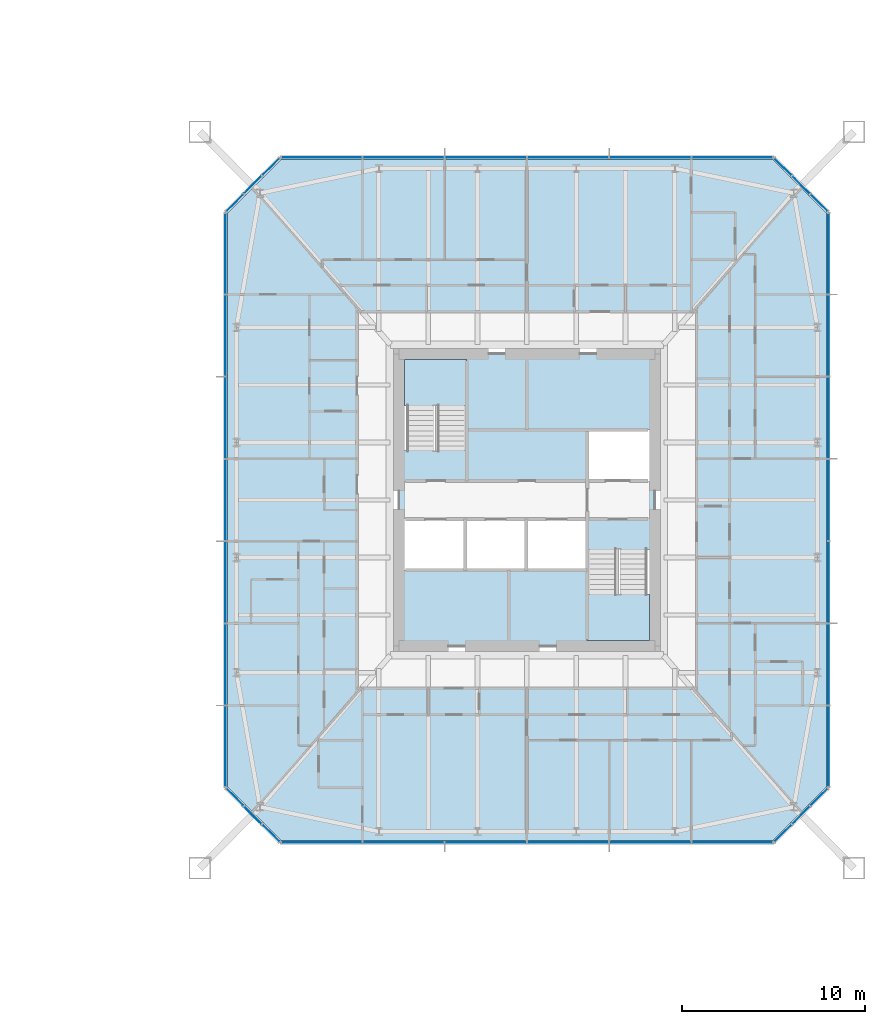
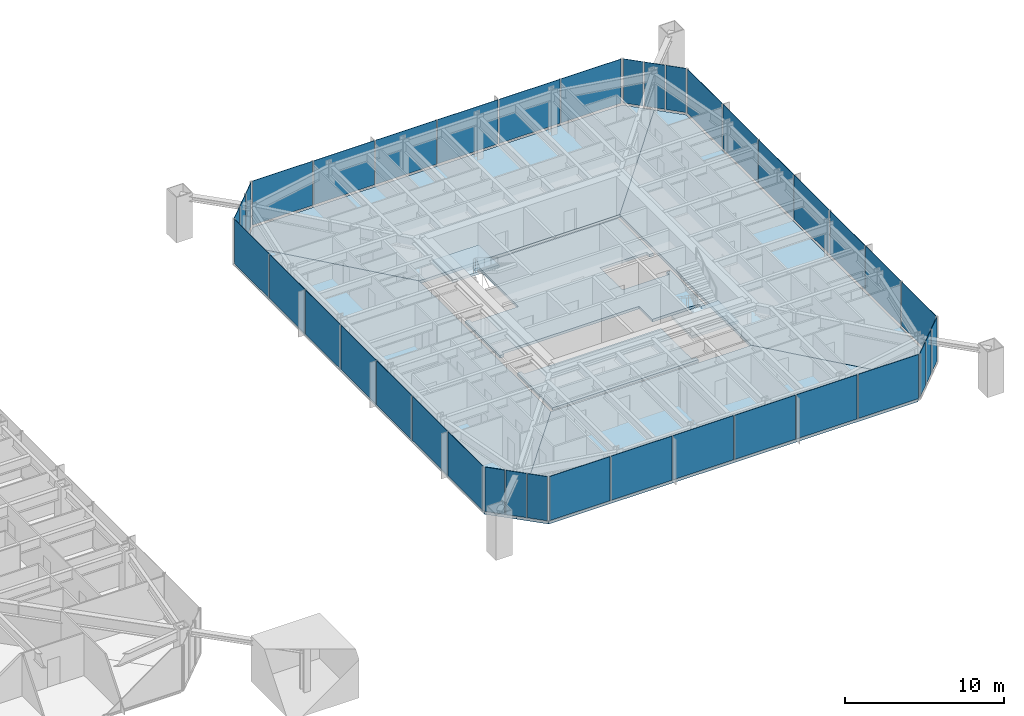
# One storey, part 13 of 26: 38 plates, 8 slabs, 10 elements without a shape of their own.
"""IFC4 building model written with IfcOpenShell, lengths in metres."""

from ifc_helpers import new_model, si_unit, direction, frame, origin, origin_2d, place, context, subcontext, project, spatial, polyline, rectangle, outline, extrude, material, layer, layer_set, constituent, constituent_set, type_object, element, aggregate, save


model = new_model("IFC4")

# Units and contexts
model_context = context("Model", 3, precision=1e-05, world=origin(), true_north=direction((0.0, 1.0)))
body_context = subcontext(model_context, "Body", "Model", "MODEL_VIEW")
ifc_project = project(units=[si_unit("LENGTHUNIT", "METRE"), si_unit("AREAUNIT", "SQUARE_METRE"), si_unit("VOLUMEUNIT", "CUBIC_METRE"), si_unit("PLANEANGLEUNIT", "RADIAN"), si_unit("MASSUNIT", "GRAM", prefix="KILO")], contexts=[model_context])

# Site, building, storey
site_placement = place(None, origin())
site = spatial("IfcSite", under=ifc_project, at=site_placement, CompositionType="ELEMENT")
building_placement = place(site_placement, origin())
building = spatial("IfcBuilding", under=site, at=building_placement, Name="Iwan Alto Co-Living Towers", CompositionType="ELEMENT")
storey_placement = place(building_placement, frame((0.0, 0.0, 50.0)))
storey = spatial("IfcBuildingStorey", under=building, at=storey_placement, Name="L13", CompositionType="ELEMENT", Elevation=50.0)

# Slabs
ifc_material_1 = material(Name="Concrete f'c 30 MPa", Category="concrete")
ifc_layer_1 = layer(ifc_material_1, 0.199951171875)
ifc_layer_set_1 = layer_set([ifc_layer_1], Name="CORE FLOOR SLAB 200")
slab_type_1 = type_object("IfcSlabType", Name="CORE FLOOR SLAB 200", PredefinedType="FLOOR", material=ifc_layer_set_1)
slab_1_placement = place(storey_placement, frame((0.0, 0.0, -0.199951171875)))
element("IfcSlab", 1, at=slab_1_placement, inside=storey, type_object=slab_type_1, Name="T2 core floor L13", PredefinedType="FLOOR", context=body_context, shape_type="SweptSolid", body=[
    extrude(outline(polyline([(70.0, -3.030029296875), (69.699951171875, -3.030029296875), (69.699951171875, -2.719970703125), (66.300048828125, -2.719970703125), (66.300048828125, -1.050048828125), (62.967041015625, -1.050048828125), (59.633056640625, -1.050048828125), (56.300048828125, -1.050048828125), (56.300048828125, -1.360107421875), (56.0, -1.360107421875), (56.0, 3.030029296875), (56.300048828125, 3.030029296875), (56.300048828125, 2.719970703125), (59.699951171875, 2.719970703125), (59.699951171875, 7.699951171875), (59.389892578125, 7.699951171875), (59.389892578125, 8.0), (70.0, 8.0), (70.0, 3.5400390625), (69.699951171875, 3.5400390625), (69.699951171875, 3.85009765625), (66.300048828125, 3.85009765625), (66.300048828125, 1.050048828125), (69.699951171875, 1.050048828125), (69.699951171875, 1.360107421875), (70.0, 1.360107421875), (70.0, -3.030029296875)])), origin(), (0.0, 0.0, 1.0), 0.199951171875),
])
slab_2_placement = place(storey_placement, frame((0.0, 0.0, -0.199951171875)))
element("IfcSlab", 2, at=slab_2_placement, inside=storey, type_object=slab_type_1, Name="T2 core floor L13", PredefinedType="FLOOR", context=body_context, shape_type="SweptSolid", body=[
    extrude(outline(polyline([(62.967041015625, -3.85009765625), (66.300048828125, -3.85009765625), (66.300048828125, -7.699951171875), (66.610107421875, -7.699951171875), (66.610107421875, -8.0), (56.0, -8.0), (56.0, -3.5400390625), (56.300048828125, -3.5400390625), (56.300048828125, -3.85009765625), (59.633056640625, -3.85009765625), (62.967041015625, -3.85009765625)])), origin(), (0.0, 0.0, 1.0), 0.199951171875),
])

# Curtain wall, plates
ifc_material_2 = material(Name="Bronze aluminium unitised frame", Category="aluminium")
curtain_wall_type_1 = type_object("IfcCurtainWallType", Name="CURTAIN WALL CW-C", PredefinedType="NOTDEFINED", material=ifc_material_2)
curtain_wall_1_placement = place(storey_placement, origin())
curtain_wall_1 = element("IfcCurtainWall", 3, at=curtain_wall_1_placement, inside=storey, type_object=curtain_wall_type_1, Name="T2 curtain wall S L13", PredefinedType="NOTDEFINED")
ifc_material_3 = material(Name="Bronze-tinted insulating glass", Category="glass")
ifc_layer_2 = layer(ifc_material_3, 0.031982421875)
ifc_layer_set_2 = layer_set([ifc_layer_2], Name="CW-C PANEL TINTED IGU 32")
plate_type_1 = type_object("IfcPlateType", Name="CW-C PANEL TINTED IGU 32", PredefinedType="CURTAIN_PANEL", material=ifc_layer_set_2)
plate_1_placement = place(storey_placement, frame((51.77001953125, -18.75, 0.10009765625), z_axis=(0.0, 0.0, 1.0), x_axis=(1.0, 0.0, 0.0)))
plate_1 = element("IfcPlate", 4, at=plate_1_placement, type_object=plate_type_1, Name="CW-C panel 1.1", PredefinedType="CURTAIN_PANEL", context=body_context, shape_type="SweptSolid", body=[
    extrude(rectangle(XDim=4.3798828125, YDim=0.031982421875, at=origin_2d()), origin(), (0.0, 0.0, 1.0), 3.39990234375),
])
plate_2_placement = place(storey_placement, frame((74.22998046875, -18.75, 0.10009765625), z_axis=(0.0, 0.0, 1.0), x_axis=(1.0, 0.0, 0.0)))
plate_2 = element("IfcPlate", 5, at=plate_2_placement, type_object=plate_type_1, Name="CW-C panel 6.1", PredefinedType="CURTAIN_PANEL", context=body_context, shape_type="SweptSolid", body=[
    extrude(rectangle(XDim=4.3798828125, YDim=0.031982421875, at=origin_2d()), origin(), (0.0, 0.0, 1.0), 3.39990234375),
])

curtain_wall_2_placement = place(storey_placement, origin())
curtain_wall_2 = element("IfcCurtainWall", 6, at=curtain_wall_2_placement, inside=storey, type_object=curtain_wall_type_1, Name="T2 curtain wall E L13", PredefinedType="NOTDEFINED")
plate_3_placement = place(storey_placement, frame((79.5, -13.47998046875, 0.10009765625), z_axis=(0.0, 0.0, 1.0), x_axis=(0.0, 1.0, 0.0)))
plate_3 = element("IfcPlate", 7, at=plate_3_placement, type_object=plate_type_1, Name="CW-C panel 1.1", PredefinedType="CURTAIN_PANEL", context=body_context, shape_type="SweptSolid", body=[
    extrude(rectangle(XDim=4.3798828125, YDim=0.031982421875, at=origin_2d()), origin(), (0.0, 0.0, 1.0), 3.39990234375),
])
plate_4_placement = place(storey_placement, frame((79.5, -9.0, 0.10009765625), z_axis=(0.0, 0.0, 1.0), x_axis=(0.0, 1.0, 0.0)))
plate_4 = element("IfcPlate", 8, at=plate_4_placement, type_object=plate_type_1, Name="CW-C panel 2.1", PredefinedType="CURTAIN_PANEL", context=body_context, shape_type="SweptSolid", body=[
    extrude(rectangle(XDim=4.419921875, YDim=0.031982421875, at=origin_2d()), origin(), (0.0, 0.0, 1.0), 3.39990234375),
])
plate_5_placement = place(storey_placement, frame((79.5, 9.0, 0.10009765625), z_axis=(0.0, 0.0, 1.0), x_axis=(0.0, 1.0, 0.0)))
plate_5 = element("IfcPlate", 9, at=plate_5_placement, type_object=plate_type_1, Name="CW-C panel 6.1", PredefinedType="CURTAIN_PANEL", context=body_context, shape_type="SweptSolid", body=[
    extrude(rectangle(XDim=4.419921875, YDim=0.031982421875, at=origin_2d()), origin(), (0.0, 0.0, 1.0), 3.39990234375),
])
plate_6_placement = place(storey_placement, frame((79.5, 13.47998046875, 0.10009765625), z_axis=(0.0, 0.0, 1.0), x_axis=(0.0, 1.0, 0.0)))
plate_6 = element("IfcPlate", 10, at=plate_6_placement, type_object=plate_type_1, Name="CW-C panel 7.1", PredefinedType="CURTAIN_PANEL", context=body_context, shape_type="SweptSolid", body=[
    extrude(rectangle(XDim=4.3798828125, YDim=0.031982421875, at=origin_2d()), origin(), (0.0, 0.0, 1.0), 3.39990234375),
])

curtain_wall_3_placement = place(storey_placement, origin())
curtain_wall_3 = element("IfcCurtainWall", 11, at=curtain_wall_3_placement, inside=storey, type_object=curtain_wall_type_1, Name="T2 curtain wall N L13", PredefinedType="NOTDEFINED")
plate_7_placement = place(storey_placement, frame((74.22998046875, 18.75, 0.10009765625), z_axis=(0.0, 0.0, 1.0), x_axis=(-1.0, 0.0, 0.0)))
plate_7 = element("IfcPlate", 12, at=plate_7_placement, type_object=plate_type_1, Name="CW-C panel 1.1", PredefinedType="CURTAIN_PANEL", context=body_context, shape_type="SweptSolid", body=[
    extrude(rectangle(XDim=4.3798828125, YDim=0.031982421875, at=origin_2d()), origin(), (0.0, 0.0, 1.0), 3.39990234375),
])
plate_8_placement = place(storey_placement, frame((51.77001953125, 18.75, 0.10009765625), z_axis=(0.0, 0.0, 1.0), x_axis=(-1.0, 0.0, 0.0)))
plate_8 = element("IfcPlate", 13, at=plate_8_placement, type_object=plate_type_1, Name="CW-C panel 6.1", PredefinedType="CURTAIN_PANEL", context=body_context, shape_type="SweptSolid", body=[
    extrude(rectangle(XDim=4.3798828125, YDim=0.031982421875, at=origin_2d()), origin(), (0.0, 0.0, 1.0), 3.39990234375),
])

curtain_wall_4_placement = place(storey_placement, origin())
curtain_wall_4 = element("IfcCurtainWall", 14, at=curtain_wall_4_placement, inside=storey, type_object=curtain_wall_type_1, Name="T2 curtain wall W L13", PredefinedType="NOTDEFINED")
plate_9_placement = place(storey_placement, frame((46.5, 13.47998046875, 0.10009765625), z_axis=(0.0, 0.0, 1.0), x_axis=(0.0, -1.0, 0.0)))
plate_9 = element("IfcPlate", 15, at=plate_9_placement, type_object=plate_type_1, Name="CW-C panel 1.1", PredefinedType="CURTAIN_PANEL", context=body_context, shape_type="SweptSolid", body=[
    extrude(rectangle(XDim=4.3798828125, YDim=0.031982421875, at=origin_2d()), origin(), (0.0, 0.0, 1.0), 3.39990234375),
])
plate_10_placement = place(storey_placement, frame((46.5, 9.0, 0.10009765625), z_axis=(0.0, 0.0, 1.0), x_axis=(0.0, -1.0, 0.0)))
plate_10 = element("IfcPlate", 16, at=plate_10_placement, type_object=plate_type_1, Name="CW-C panel 2.1", PredefinedType="CURTAIN_PANEL", context=body_context, shape_type="SweptSolid", body=[
    extrude(rectangle(XDim=4.419921875, YDim=0.031982421875, at=origin_2d()), origin(), (0.0, 0.0, 1.0), 3.39990234375),
])
plate_11_placement = place(storey_placement, frame((46.5, -9.0, 0.10009765625), z_axis=(0.0, 0.0, 1.0), x_axis=(0.0, -1.0, 0.0)))
plate_11 = element("IfcPlate", 17, at=plate_11_placement, type_object=plate_type_1, Name="CW-C panel 6.1", PredefinedType="CURTAIN_PANEL", context=body_context, shape_type="SweptSolid", body=[
    extrude(rectangle(XDim=4.419921875, YDim=0.031982421875, at=origin_2d()), origin(), (0.0, 0.0, 1.0), 3.39990234375),
])
plate_12_placement = place(storey_placement, frame((46.5, -13.47998046875, 0.10009765625), z_axis=(0.0, 0.0, 1.0), x_axis=(0.0, -1.0, 0.0)))
plate_12 = element("IfcPlate", 18, at=plate_12_placement, type_object=plate_type_1, Name="CW-C panel 7.1", PredefinedType="CURTAIN_PANEL", context=body_context, shape_type="SweptSolid", body=[
    extrude(rectangle(XDim=4.3798828125, YDim=0.031982421875, at=origin_2d()), origin(), (0.0, 0.0, 1.0), 3.39990234375),
])

# Plate
ifc_material_4 = material(Name="Insulated bronze aluminium spandrel panel", Category="aluminium")
ifc_layer_3 = layer(ifc_material_4, 0.031982421875)
ifc_layer_set_3 = layer_set([ifc_layer_3], Name="CW-C SPANDREL PANEL 32")
plate_type_2 = type_object("IfcPlateType", Name="CW-C SPANDREL PANEL 32", PredefinedType="CURTAIN_PANEL", material=ifc_layer_set_3)
plate_13_placement = place(storey_placement, frame((56.25, -18.75, 0.10009765625), z_axis=(0.0, 0.0, 1.0), x_axis=(1.0, 0.0, 0.0)))
plate_13 = element("IfcPlate", 19, at=plate_13_placement, type_object=plate_type_2, Name="CW-C spandrel panel 2.1 (braced bay)", PredefinedType="CURTAIN_PANEL", context=body_context, shape_type="SweptSolid", body=[
    extrude(rectangle(XDim=4.419921875, YDim=0.031982421875, at=origin_2d()), origin(), (0.0, 0.0, 1.0), 3.39990234375),
])

plate_14_placement = place(storey_placement, frame((60.75, -18.75, 0.10009765625), z_axis=(0.0, 0.0, 1.0), x_axis=(1.0, 0.0, 0.0)))
plate_14 = element("IfcPlate", 20, at=plate_14_placement, type_object=plate_type_2, Name="CW-C spandrel panel 3.1 (braced bay)", PredefinedType="CURTAIN_PANEL", context=body_context, shape_type="SweptSolid", body=[
    extrude(rectangle(XDim=4.419921875, YDim=0.031982421875, at=origin_2d()), origin(), (0.0, 0.0, 1.0), 3.39990234375),
])

plate_15_placement = place(storey_placement, frame((65.25, -18.75, 0.10009765625), z_axis=(0.0, 0.0, 1.0), x_axis=(1.0, 0.0, 0.0)))
plate_15 = element("IfcPlate", 21, at=plate_15_placement, type_object=plate_type_2, Name="CW-C spandrel panel 4.1 (braced bay)", PredefinedType="CURTAIN_PANEL", context=body_context, shape_type="SweptSolid", body=[
    extrude(rectangle(XDim=4.419921875, YDim=0.031982421875, at=origin_2d()), origin(), (0.0, 0.0, 1.0), 3.39990234375),
])

plate_16_placement = place(storey_placement, frame((69.75, -18.75, 0.10009765625), z_axis=(0.0, 0.0, 1.0), x_axis=(1.0, 0.0, 0.0)))
plate_16 = element("IfcPlate", 22, at=plate_16_placement, type_object=plate_type_2, Name="CW-C spandrel panel 5.1 (braced bay)", PredefinedType="CURTAIN_PANEL", context=body_context, shape_type="SweptSolid", body=[
    extrude(rectangle(XDim=4.419921875, YDim=0.031982421875, at=origin_2d()), origin(), (0.0, 0.0, 1.0), 3.39990234375),
])

aggregate(curtain_wall_1, [plate_1, plate_2, plate_13, plate_14, plate_15, plate_16])

plate_17_placement = place(storey_placement, frame((79.5, -4.5, 0.10009765625), z_axis=(0.0, 0.0, 1.0), x_axis=(0.0, 1.0, 0.0)))
plate_17 = element("IfcPlate", 23, at=plate_17_placement, type_object=plate_type_2, Name="CW-C spandrel panel 3.1 (braced bay)", PredefinedType="CURTAIN_PANEL", context=body_context, shape_type="SweptSolid", body=[
    extrude(rectangle(XDim=4.419921875, YDim=0.031982421875, at=origin_2d()), origin(), (0.0, 0.0, 1.0), 3.39990234375),
])

plate_18_placement = place(storey_placement, frame((79.5, 0.0, 0.10009765625), z_axis=(0.0, 0.0, 1.0), x_axis=(0.0, 1.0, 0.0)))
plate_18 = element("IfcPlate", 24, at=plate_18_placement, type_object=plate_type_2, Name="CW-C spandrel panel 4.1 (braced bay)", PredefinedType="CURTAIN_PANEL", context=body_context, shape_type="SweptSolid", body=[
    extrude(rectangle(XDim=4.419921875, YDim=0.031982421875, at=origin_2d()), origin(), (0.0, 0.0, 1.0), 3.39990234375),
])

plate_19_placement = place(storey_placement, frame((79.5, 4.5, 0.10009765625), z_axis=(0.0, 0.0, 1.0), x_axis=(0.0, 1.0, 0.0)))
plate_19 = element("IfcPlate", 25, at=plate_19_placement, type_object=plate_type_2, Name="CW-C spandrel panel 5.1 (braced bay)", PredefinedType="CURTAIN_PANEL", context=body_context, shape_type="SweptSolid", body=[
    extrude(rectangle(XDim=4.419921875, YDim=0.031982421875, at=origin_2d()), origin(), (0.0, 0.0, 1.0), 3.39990234375),
])

aggregate(curtain_wall_2, [plate_3, plate_4, plate_5, plate_6, plate_17, plate_18, plate_19])

plate_20_placement = place(storey_placement, frame((69.75, 18.75, 0.10009765625), z_axis=(0.0, 0.0, 1.0), x_axis=(-1.0, 0.0, 0.0)))
plate_20 = element("IfcPlate", 26, at=plate_20_placement, type_object=plate_type_2, Name="CW-C spandrel panel 2.1 (braced bay)", PredefinedType="CURTAIN_PANEL", context=body_context, shape_type="SweptSolid", body=[
    extrude(rectangle(XDim=4.419921875, YDim=0.031982421875, at=origin_2d()), origin(), (0.0, 0.0, 1.0), 3.39990234375),
])

plate_21_placement = place(storey_placement, frame((65.25, 18.75, 0.10009765625), z_axis=(0.0, 0.0, 1.0), x_axis=(-1.0, 0.0, 0.0)))
plate_21 = element("IfcPlate", 27, at=plate_21_placement, type_object=plate_type_2, Name="CW-C spandrel panel 3.1 (braced bay)", PredefinedType="CURTAIN_PANEL", context=body_context, shape_type="SweptSolid", body=[
    extrude(rectangle(XDim=4.419921875, YDim=0.031982421875, at=origin_2d()), origin(), (0.0, 0.0, 1.0), 3.39990234375),
])

plate_22_placement = place(storey_placement, frame((60.75, 18.75, 0.10009765625), z_axis=(0.0, 0.0, 1.0), x_axis=(-1.0, 0.0, 0.0)))
plate_22 = element("IfcPlate", 28, at=plate_22_placement, type_object=plate_type_2, Name="CW-C spandrel panel 4.1 (braced bay)", PredefinedType="CURTAIN_PANEL", context=body_context, shape_type="SweptSolid", body=[
    extrude(rectangle(XDim=4.419921875, YDim=0.031982421875, at=origin_2d()), origin(), (0.0, 0.0, 1.0), 3.39990234375),
])

plate_23_placement = place(storey_placement, frame((56.25, 18.75, 0.10009765625), z_axis=(0.0, 0.0, 1.0), x_axis=(-1.0, 0.0, 0.0)))
plate_23 = element("IfcPlate", 29, at=plate_23_placement, type_object=plate_type_2, Name="CW-C spandrel panel 5.1 (braced bay)", PredefinedType="CURTAIN_PANEL", context=body_context, shape_type="SweptSolid", body=[
    extrude(rectangle(XDim=4.419921875, YDim=0.031982421875, at=origin_2d()), origin(), (0.0, 0.0, 1.0), 3.39990234375),
])

aggregate(curtain_wall_3, [plate_7, plate_8, plate_20, plate_21, plate_22, plate_23])

plate_24_placement = place(storey_placement, frame((46.5, 4.5, 0.10009765625), z_axis=(0.0, 0.0, 1.0), x_axis=(0.0, -1.0, 0.0)))
plate_24 = element("IfcPlate", 30, at=plate_24_placement, type_object=plate_type_2, Name="CW-C spandrel panel 3.1 (braced bay)", PredefinedType="CURTAIN_PANEL", context=body_context, shape_type="SweptSolid", body=[
    extrude(rectangle(XDim=4.419921875, YDim=0.031982421875, at=origin_2d()), origin(), (0.0, 0.0, 1.0), 3.39990234375),
])

plate_25_placement = place(storey_placement, frame((46.5, 0.0, 0.10009765625), z_axis=(0.0, 0.0, 1.0), x_axis=(0.0, -1.0, 0.0)))
plate_25 = element("IfcPlate", 31, at=plate_25_placement, type_object=plate_type_2, Name="CW-C spandrel panel 4.1 (braced bay)", PredefinedType="CURTAIN_PANEL", context=body_context, shape_type="SweptSolid", body=[
    extrude(rectangle(XDim=4.419921875, YDim=0.031982421875, at=origin_2d()), origin(), (0.0, 0.0, 1.0), 3.39990234375),
])

plate_26_placement = place(storey_placement, frame((46.5, -4.5, 0.10009765625), z_axis=(0.0, 0.0, 1.0), x_axis=(0.0, -1.0, 0.0)))
plate_26 = element("IfcPlate", 32, at=plate_26_placement, type_object=plate_type_2, Name="CW-C spandrel panel 5.1 (braced bay)", PredefinedType="CURTAIN_PANEL", context=body_context, shape_type="SweptSolid", body=[
    extrude(rectangle(XDim=4.419921875, YDim=0.031982421875, at=origin_2d()), origin(), (0.0, 0.0, 1.0), 3.39990234375),
])

aggregate(curtain_wall_4, [plate_9, plate_10, plate_11, plate_12, plate_24, plate_25, plate_26])

# Curtain wall, plates
ifc_material_5 = material(Name="Bronze aluminium unitised frame", Category="aluminium")
curtain_wall_type_2 = type_object("IfcCurtainWallType", Name="CURTAIN WALL CW-D", PredefinedType="NOTDEFINED", material=ifc_material_5)
curtain_wall_5_placement = place(storey_placement, origin())
curtain_wall_5 = element("IfcCurtainWall", 33, at=curtain_wall_5_placement, inside=storey, type_object=curtain_wall_type_2, Name="T2 chamfer curtain wall SE L13", PredefinedType="NOTDEFINED")
ifc_material_6 = material(Name="Bronze-tinted insulating glass", Category="glass")
ifc_layer_4 = layer(ifc_material_6, 0.031982421875)
ifc_layer_set_4 = layer_set([ifc_layer_4], Name="CW-D PANEL TINTED IGU 32")
plate_type_3 = type_object("IfcPlateType", Name="CW-D PANEL TINTED IGU 32", PredefinedType="CURTAIN_PANEL", material=ifc_layer_set_4)
plate_27_placement = place(storey_placement, frame((77.01416015625, -18.23583984375, 0.10009765625), z_axis=(0.0, 0.0, 1.0), x_axis=(0.707106781187, 0.707106781187, 0.0)))
plate_27 = element("IfcPlate", 34, at=plate_27_placement, type_object=plate_type_3, Name="CW-D panel 1.1", PredefinedType="CURTAIN_PANEL", context=body_context, shape_type="SweptSolid", body=[
    extrude(rectangle(XDim=1.294189453125, YDim=0.031982421875, at=origin_2d()), origin(), (0.0, 0.0, 1.0), 3.39990234375),
])
plate_28_placement = place(storey_placement, frame((78.0, -17.25, 0.10009765625), z_axis=(0.0, 0.0, 1.0), x_axis=(0.707106781187, 0.707106781187, 0.0)))
plate_28 = element("IfcPlate", 35, at=plate_28_placement, type_object=plate_type_3, Name="CW-D panel 2.1", PredefinedType="CURTAIN_PANEL", context=body_context, shape_type="SweptSolid", body=[
    extrude(rectangle(XDim=1.334228515625, YDim=0.031982421875, at=origin_2d()), origin(), (0.0, 0.0, 1.0), 3.39990234375),
])
plate_29_placement = place(storey_placement, frame((78.98583984375, -16.26416015625, 0.10009765625), z_axis=(0.0, 0.0, 1.0), x_axis=(0.707106781187, 0.707106781187, 0.0)))
plate_29 = element("IfcPlate", 36, at=plate_29_placement, type_object=plate_type_3, Name="CW-D panel 3.1", PredefinedType="CURTAIN_PANEL", context=body_context, shape_type="SweptSolid", body=[
    extrude(rectangle(XDim=1.294189453125, YDim=0.031982421875, at=origin_2d()), origin(), (0.0, 0.0, 1.0), 3.39990234375),
])
aggregate(curtain_wall_5, [plate_27, plate_28, plate_29])

curtain_wall_6_placement = place(storey_placement, origin())
curtain_wall_6 = element("IfcCurtainWall", 37, at=curtain_wall_6_placement, inside=storey, type_object=curtain_wall_type_2, Name="T2 chamfer curtain wall NE L13", PredefinedType="NOTDEFINED")
plate_30_placement = place(storey_placement, frame((78.98583984375, 16.26416015625, 0.10009765625), z_axis=(0.0, 0.0, 1.0), x_axis=(-0.707106781187, 0.707106781187, 0.0)))
plate_30 = element("IfcPlate", 38, at=plate_30_placement, type_object=plate_type_3, Name="CW-D panel 1.1", PredefinedType="CURTAIN_PANEL", context=body_context, shape_type="SweptSolid", body=[
    extrude(rectangle(XDim=1.294189453125, YDim=0.031982421875, at=origin_2d()), origin(), (0.0, 0.0, 1.0), 3.39990234375),
])
plate_31_placement = place(storey_placement, frame((78.0, 17.25, 0.10009765625), z_axis=(0.0, 0.0, 1.0), x_axis=(-0.707106781187, 0.707106781187, 0.0)))
plate_31 = element("IfcPlate", 39, at=plate_31_placement, type_object=plate_type_3, Name="CW-D panel 2.1", PredefinedType="CURTAIN_PANEL", context=body_context, shape_type="SweptSolid", body=[
    extrude(rectangle(XDim=1.334228515625, YDim=0.031982421875, at=origin_2d()), origin(), (0.0, 0.0, 1.0), 3.39990234375),
])
plate_32_placement = place(storey_placement, frame((77.01416015625, 18.23583984375, 0.10009765625), z_axis=(0.0, 0.0, 1.0), x_axis=(-0.707106781187, 0.707106781187, 0.0)))
plate_32 = element("IfcPlate", 40, at=plate_32_placement, type_object=plate_type_3, Name="CW-D panel 3.1", PredefinedType="CURTAIN_PANEL", context=body_context, shape_type="SweptSolid", body=[
    extrude(rectangle(XDim=1.294189453125, YDim=0.031982421875, at=origin_2d()), origin(), (0.0, 0.0, 1.0), 3.39990234375),
])
aggregate(curtain_wall_6, [plate_30, plate_31, plate_32])

curtain_wall_7_placement = place(storey_placement, origin())
curtain_wall_7 = element("IfcCurtainWall", 41, at=curtain_wall_7_placement, inside=storey, type_object=curtain_wall_type_2, Name="T2 chamfer curtain wall NW L13", PredefinedType="NOTDEFINED")
plate_33_placement = place(storey_placement, frame((48.98583984375, 18.23583984375, 0.10009765625), z_axis=(0.0, 0.0, 1.0), x_axis=(-0.707106781187, -0.707106781187, 0.0)))
plate_33 = element("IfcPlate", 42, at=plate_33_placement, type_object=plate_type_3, Name="CW-D panel 1.1", PredefinedType="CURTAIN_PANEL", context=body_context, shape_type="SweptSolid", body=[
    extrude(rectangle(XDim=1.294189453125, YDim=0.031982421875, at=origin_2d()), origin(), (0.0, 0.0, 1.0), 3.39990234375),
])
plate_34_placement = place(storey_placement, frame((48.0, 17.25, 0.10009765625), z_axis=(0.0, 0.0, 1.0), x_axis=(-0.707106781187, -0.707106781187, 0.0)))
plate_34 = element("IfcPlate", 43, at=plate_34_placement, type_object=plate_type_3, Name="CW-D panel 2.1", PredefinedType="CURTAIN_PANEL", context=body_context, shape_type="SweptSolid", body=[
    extrude(rectangle(XDim=1.334228515625, YDim=0.031982421875, at=origin_2d()), origin(), (0.0, 0.0, 1.0), 3.39990234375),
])
plate_35_placement = place(storey_placement, frame((47.01416015625, 16.26416015625, 0.10009765625), z_axis=(0.0, 0.0, 1.0), x_axis=(-0.707106781187, -0.707106781187, 0.0)))
plate_35 = element("IfcPlate", 44, at=plate_35_placement, type_object=plate_type_3, Name="CW-D panel 3.1", PredefinedType="CURTAIN_PANEL", context=body_context, shape_type="SweptSolid", body=[
    extrude(rectangle(XDim=1.294189453125, YDim=0.031982421875, at=origin_2d()), origin(), (0.0, 0.0, 1.0), 3.39990234375),
])
aggregate(curtain_wall_7, [plate_33, plate_34, plate_35])

curtain_wall_8_placement = place(storey_placement, origin())
curtain_wall_8 = element("IfcCurtainWall", 45, at=curtain_wall_8_placement, inside=storey, type_object=curtain_wall_type_2, Name="T2 chamfer curtain wall SW L13", PredefinedType="NOTDEFINED")
plate_36_placement = place(storey_placement, frame((47.01416015625, -16.26416015625, 0.10009765625), z_axis=(0.0, 0.0, 1.0), x_axis=(0.707106781187, -0.707106781187, 0.0)))
plate_36 = element("IfcPlate", 46, at=plate_36_placement, type_object=plate_type_3, Name="CW-D panel 1.1", PredefinedType="CURTAIN_PANEL", context=body_context, shape_type="SweptSolid", body=[
    extrude(rectangle(XDim=1.294189453125, YDim=0.031982421875, at=origin_2d()), origin(), (0.0, 0.0, 1.0), 3.39990234375),
])
plate_37_placement = place(storey_placement, frame((48.0, -17.25, 0.10009765625), z_axis=(0.0, 0.0, 1.0), x_axis=(0.707106781187, -0.707106781187, 0.0)))
plate_37 = element("IfcPlate", 47, at=plate_37_placement, type_object=plate_type_3, Name="CW-D panel 2.1", PredefinedType="CURTAIN_PANEL", context=body_context, shape_type="SweptSolid", body=[
    extrude(rectangle(XDim=1.334228515625, YDim=0.031982421875, at=origin_2d()), origin(), (0.0, 0.0, 1.0), 3.39990234375),
])
plate_38_placement = place(storey_placement, frame((48.98583984375, -18.23583984375, 0.10009765625), z_axis=(0.0, 0.0, 1.0), x_axis=(0.707106781187, -0.707106781187, 0.0)))
plate_38 = element("IfcPlate", 48, at=plate_38_placement, type_object=plate_type_3, Name="CW-D panel 3.1", PredefinedType="CURTAIN_PANEL", context=body_context, shape_type="SweptSolid", body=[
    extrude(rectangle(XDim=1.294189453125, YDim=0.031982421875, at=origin_2d()), origin(), (0.0, 0.0, 1.0), 3.39990234375),
])
aggregate(curtain_wall_8, [plate_36, plate_37, plate_38])

# Stair, slab
ifc_material_7 = material(Name="Steel ASTM A36", Category="steel")
ifc_constituent_1 = constituent(ifc_material_7, Name="Stringers", Category="LoadBearing")
ifc_material_8 = material(Name="Concrete f'c 30 MPa", Category="concrete")
ifc_constituent_2 = constituent(ifc_material_8, Name="Tread fill", Category="Finish")
ifc_constituent_set = constituent_set(constituents=[ifc_constituent_1, ifc_constituent_2], Name="STAIR 3500 TWO-FLIGHT T2 CORE")
stair_type = type_object("IfcStairType", Name="STAIR 3500 TWO-FLIGHT T2 CORE", PredefinedType="HALF_TURN_STAIR", material=ifc_constituent_set)
stair_1_placement = place(storey_placement, origin())
stair_1 = element("IfcStair", 49, at=stair_1_placement, inside=storey, type_object=stair_type, Name="Stair T2-S1 L13 to L14", PredefinedType="HALF_TURN_STAIR")
ifc_material_9 = material(Name="Concrete f'c 30 MPa", Category="concrete")
ifc_layer_5 = layer(ifc_material_9, 0.199951171875)
ifc_layer_set_5 = layer_set([ifc_layer_5], Name="STAIR LANDING 200")
slab_type_2 = type_object("IfcSlabType", Name="STAIR LANDING 200", PredefinedType="LANDING", material=ifc_layer_set_5)
slab_3_placement = place(storey_placement, frame((0.0, 0.0, 1.550048828125)))
slab_3 = element("IfcSlab", 50, at=slab_3_placement, type_object=slab_type_2, Name="T2-S1 landing 1", PredefinedType="LANDING", context=body_context, shape_type="SweptSolid", body=[
    extrude(outline(polyline([(56.300048828125, 5.139892578125), (56.300048828125, 7.699951171875), (59.699951171875, 7.699951171875), (59.699951171875, 5.139892578125), (56.300048828125, 5.139892578125)])), origin(), (0.0, 0.0, 1.0), 0.199951171875),
])
aggregate(stair_1, [slab_3])

stair_2_placement = place(storey_placement, origin())
stair_2 = element("IfcStair", 51, at=stair_2_placement, inside=storey, type_object=stair_type, Name="Stair T2-S2 L13 to L14", PredefinedType="HALF_TURN_STAIR")
slab_4_placement = place(storey_placement, frame((0.0, 0.0, 1.550048828125)))
slab_4 = element("IfcSlab", 52, at=slab_4_placement, type_object=slab_type_2, Name="T2-S2 landing 1", PredefinedType="LANDING", context=body_context, shape_type="SweptSolid", body=[
    extrude(outline(polyline([(66.300048828125, -5.139892578125), (66.300048828125, -7.699951171875), (69.699951171875, -7.699951171875), (69.699951171875, -5.139892578125), (66.300048828125, -5.139892578125)])), origin(), (0.0, 0.0, 1.0), 0.199951171875),
])
aggregate(stair_2, [slab_4])

# Slabs
ifc_material_10 = material(Name="Concrete f'c 30 MPa", Category="concrete")
ifc_layer_6 = layer(ifc_material_10, 0.22998046875)
ifc_layer_set_6 = layer_set([ifc_layer_6], Name="T2 FLOOR SLAB 230")
slab_type_3 = type_object("IfcSlabType", Name="T2 FLOOR SLAB 230", PredefinedType="FLOOR", material=ifc_layer_set_6)
slab_5_placement = place(storey_placement, frame((0.0, 0.0, -0.22998046875)))
element("IfcSlab", 53, at=slab_5_placement, inside=storey, type_object=slab_type_3, Name="T2 floor slab L13 S pour", PredefinedType="FLOOR", context=body_context, shape_type="SweptSolid", body=[
    extrude(outline(polyline([(76.44140625, -18.64990234375), (49.55859375, -18.64990234375), (48.07568359375, -17.1669921875), (55.699951171875, -8.300048828125), (70.300048828125, -8.300048828125), (77.92431640625, -17.1669921875), (76.44140625, -18.64990234375)])), origin(), (0.0, 0.0, 1.0), 0.22998046875),
])
slab_6_placement = place(storey_placement, frame((0.0, 0.0, -0.22998046875)))
element("IfcSlab", 54, at=slab_6_placement, inside=storey, type_object=slab_type_3, Name="T2 floor slab L13 E pour", PredefinedType="FLOOR", context=body_context, shape_type="SweptSolid", body=[
    extrude(outline(polyline([(79.39990234375, 15.69140625), (79.39990234375, -15.69140625), (77.92431640625, -17.1669921875), (70.300048828125, -8.300048828125), (70.300048828125, 8.300048828125), (77.92431640625, 17.1669921875), (79.39990234375, 15.69140625)])), origin(), (0.0, 0.0, 1.0), 0.22998046875),
])
slab_7_placement = place(storey_placement, frame((0.0, 0.0, -0.22998046875)))
element("IfcSlab", 55, at=slab_7_placement, inside=storey, type_object=slab_type_3, Name="T2 floor slab L13 N pour", PredefinedType="FLOOR", context=body_context, shape_type="SweptSolid", body=[
    extrude(outline(polyline([(49.55859375, 18.64990234375), (76.44140625, 18.64990234375), (77.92431640625, 17.1669921875), (70.300048828125, 8.300048828125), (55.699951171875, 8.300048828125), (48.07568359375, 17.1669921875), (49.55859375, 18.64990234375)])), origin(), (0.0, 0.0, 1.0), 0.22998046875),
])
slab_8_placement = place(storey_placement, frame((0.0, 0.0, -0.22998046875)))
element("IfcSlab", 56, at=slab_8_placement, inside=storey, type_object=slab_type_3, Name="T2 floor slab L13 W pour", PredefinedType="FLOOR", context=body_context, shape_type="SweptSolid", body=[
    extrude(outline(polyline([(46.60009765625, 15.69140625), (48.07568359375, 17.1669921875), (55.699951171875, 8.300048828125), (55.699951171875, -8.300048828125), (48.07568359375, -17.1669921875), (46.60009765625, -15.69140625), (46.60009765625, 15.69140625)])), origin(), (0.0, 0.0, 1.0), 0.22998046875),
])

save(model, "model.ifc")
